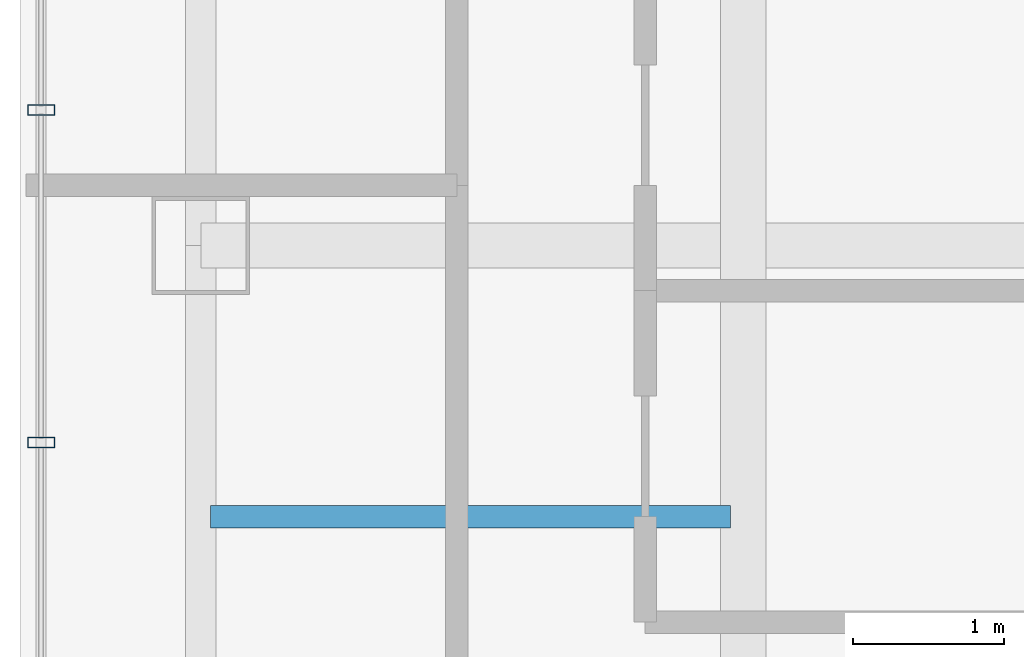
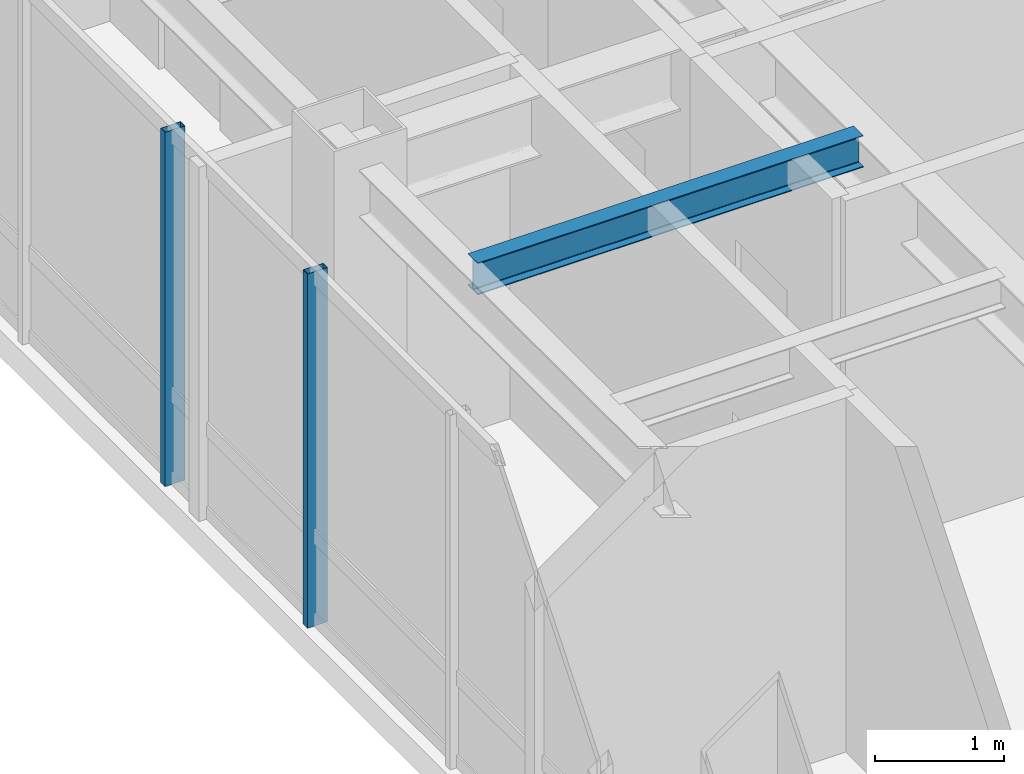
# One storey, part 6 of 26: 2 members, 1 beam, 1 element without a shape of its own.
"""IFC4 building model written with IfcOpenShell, lengths in metres."""

from ifc_helpers import new_model, si_unit, direction, frame, origin, origin_2d, place, context, subcontext, project, spatial, hollow_rectangle, i_section, extrude, material, layer, layer_set, material_profile, profile_set, type_object, element, aggregate, save


model = new_model("IFC4")

# Units and contexts
model_context = context("Model", 3, precision=1e-05, world=origin(), true_north=direction((0.0, 1.0)))
body_context = subcontext(model_context, "Body", "Model", "MODEL_VIEW")
ifc_project = project(units=[si_unit("LENGTHUNIT", "METRE"), si_unit("AREAUNIT", "SQUARE_METRE"), si_unit("VOLUMEUNIT", "CUBIC_METRE"), si_unit("PLANEANGLEUNIT", "RADIAN"), si_unit("MASSUNIT", "GRAM", prefix="KILO")], contexts=[model_context])

# Site, building, storey
site_placement = place(None, origin())
site = spatial("IfcSite", under=ifc_project, at=site_placement, CompositionType="ELEMENT")
building_placement = place(site_placement, origin())
building = spatial("IfcBuilding", under=site, at=building_placement, Name="Hatsunagi Terrace Concourse", CompositionType="ELEMENT")
storey_placement = place(building_placement, frame((0.0, 0.0, 227.550048828125)))
storey = spatial("IfcBuildingStorey", under=building, at=storey_placement, Name="L60", CompositionType="ELEMENT", Elevation=227.550048828125)

# Curtain wall, members
ifc_material_1 = material(Name="Anodised Aluminium Alloy 6063-T5", Category="aluminium")
ifc_layer = layer(ifc_material_1, 0.199951171875)
ifc_layer_set = layer_set([ifc_layer], Name="OfficeZone2_CW04")
curtain_wall_type = type_object("IfcCurtainWallType", Name="OfficeZone2_CW04", PredefinedType="NOTDEFINED", material=ifc_layer_set)
curtain_wall_placement = place(storey_placement, origin())
curtain_wall = element("IfcCurtainWall", 1, at=curtain_wall_placement, inside=storey, type_object=curtain_wall_type, Name="Unitised Curtain Wall CW-04 CW-L60-08", PredefinedType="NOTDEFINED")
ifc_material_2 = material(Name="Anodised Aluminium Alloy 6063-T5", Category="aluminium")
ifc_material_profile_1 = material_profile(ifc_material_2, hollow_rectangle(XDim=0.070068359375, YDim=0.179931640625, WallThickness=0.00390625, at=origin_2d()), Name="ALU-MUL-180x70x4")
ifc_profile_set_1 = profile_set([ifc_material_profile_1], Name="Anodised Aluminium Alloy 6063-T5")
member_type = type_object("IfcMemberType", Name="CurtainWallMullion_180x70", PredefinedType="MULLION", material=ifc_profile_set_1)
member_1_placement = place(storey_placement, frame((18.139892578125, 34.69189453125, 0.0), z_axis=(0.0, 0.0, 1.0), x_axis=(0.0, 1.0, 0.0)))
member_1 = element("IfcMember", 2, at=member_1_placement, type_object=member_type, Name="Curtain Wall Mullion MUL-02", PredefinedType="MULLION", context=body_context, shape_type="SweptSolid", body=[
    extrude(hollow_rectangle(XDim=0.070068359375, YDim=0.179931640625, WallThickness=0.00390625, at=origin_2d()), origin(), (0.0, 0.0, 1.0), 3.349853515625),
])
member_2_placement = place(storey_placement, frame((18.139892578125, 36.89990234375, 0.0), z_axis=(0.0, 0.0, 1.0), x_axis=(0.0, 1.0, 0.0)))
member_2 = element("IfcMember", 3, at=member_2_placement, type_object=member_type, Name="Curtain Wall Mullion MUL-02", PredefinedType="MULLION", context=body_context, shape_type="SweptSolid", body=[
    extrude(hollow_rectangle(XDim=0.070068359375, YDim=0.179931640625, WallThickness=0.00390625, at=origin_2d()), origin(), (0.0, 0.0, 1.0), 3.349853515625),
])
aggregate(curtain_wall, [member_1, member_2])

# Beam
ifc_material_3 = material(Name="Steel SN490B", Category="steel")
ifc_material_profile_2 = material_profile(ifc_material_3, i_section(OverallWidth=0.14990234375, OverallDepth=0.300048828125, WebThickness=0.006591796875, FlangeThickness=0.009033203125, FilletRadius=0.010986328125, at=origin_2d()), Name="H-300x150x6.5x9")
ifc_profile_set_2 = profile_set([ifc_material_profile_2], Name="Steel SN490B")
beam_type = type_object("IfcBeamType", Name="OfficeJoist_H_300x150", PredefinedType="JOIST", material=ifc_profile_set_2)
beam_placement = place(storey_placement, frame((19.264892578125, 34.199951171875, 3.199951171875), z_axis=(1.0, 0.0, 0.0), x_axis=(0.0, 1.0, 0.0)))
element("IfcBeam", 4, at=beam_placement, inside=storey, type_object=beam_type, Name="Beam J-03 J-L60-W-19-342", PredefinedType="JOIST", context=body_context, shape_type="SweptSolid", body=[
    extrude(i_section(OverallWidth=0.14990234375, OverallDepth=0.300048828125, WebThickness=0.006591796875, FlangeThickness=0.009033203125, FilletRadius=0.010986328125, at=origin_2d()), origin(), (0.0, 0.0, 1.0), 3.4501953125),
])

save(model, "model.ifc")
